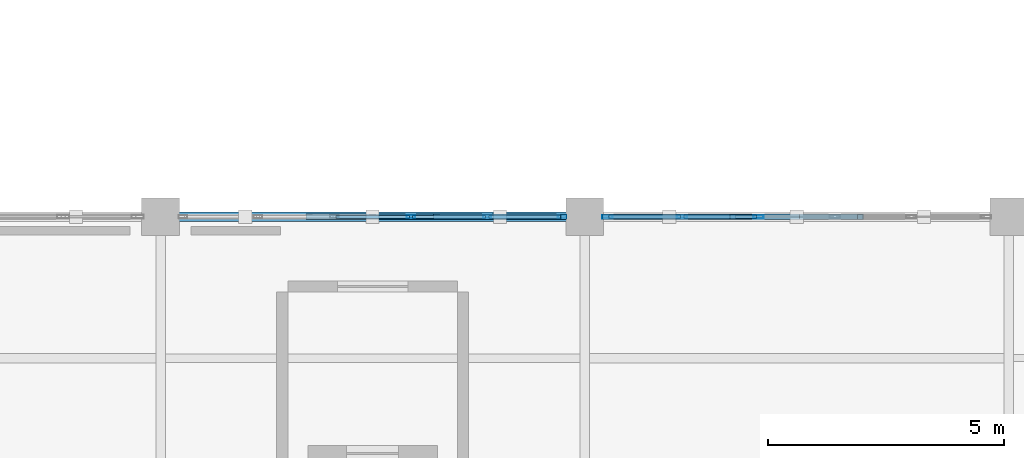
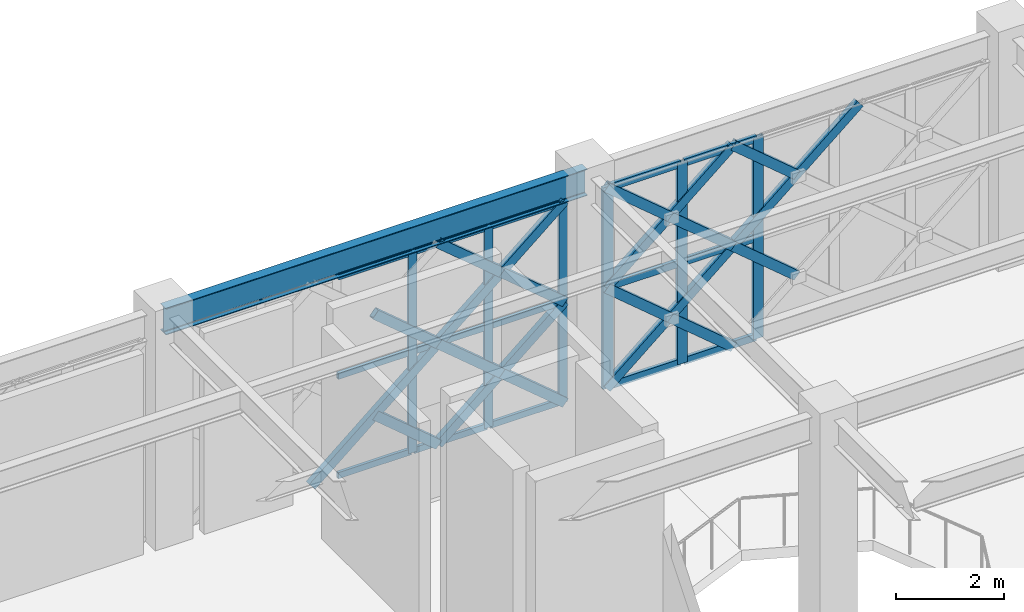
# One storey, part 18 of 86: 39 members, 1 beam, 2 elements without a shape of their own.
"""IFC4 building model written with IfcOpenShell, lengths in metres."""

import ifcopenshell
import ifcopenshell.guid

model = None  # the IFC model being written
_history = None  # IfcOwnerHistory: only IFC2X3 demands one
_inside = {}  # id of a spatial element -> (the spatial element, [elements in it])
_under = {}  # id of a project, library or spatial element -> (it, [spatial elements below it])
_declared = {}  # id of a project -> (the project, [libraries it declares])
_typed = {}  # id of a type object -> (the type object, [elements of that type])
_made_of = {}  # id of a material, layer set ... -> (it, [elements and type objects made of it])


def new_model(schema):
    """Start an empty IFC model of exactly this schema.

    Asked for "IFC4X3", IfcOpenShell would pick the latest addendum, in which some entities
    have other attributes; the version numbers below select the first issue.
    IFC2X3 requires an IfcOwnerHistory on every rooted entity: one is made here for all.
    """
    global model, _history
    if schema == "IFC4X3":
        model = ifcopenshell.file(schema_version=(4, 3, 0, 0))
    else:
        model = ifcopenshell.file(schema=schema)
    _inside.clear()
    _under.clear()
    _declared.clear()
    _typed.clear()
    _made_of.clear()
    _history = None
    if model.schema == "IFC2X3":
        org = make("IfcOrganization", Name="unknown")
        user = make(
            "IfcPersonAndOrganization",
            ThePerson=make("IfcPerson", FamilyName="unknown"),
            TheOrganization=org,
        )
        app = make(
            "IfcApplication",
            ApplicationDeveloper=org,
            Version="unknown",
            ApplicationFullName="unknown",
            ApplicationIdentifier="unknown",
        )
        _history = make(
            "IfcOwnerHistory",
            OwningUser=user,
            OwningApplication=app,
            ChangeAction="ADDED",
            CreationDate=0,
        )
    return model


def make(cls, **values):
    """One entity of the class cls with the attributes given. An attribute that is None is left unset."""
    return model.create_entity(
        cls, **{name: value for name, value in values.items() if value is not None}
    )


def rooted(cls, **values):
    """An entity with a GlobalId (a new one), such as an element, a storey or a relation."""
    return make(cls, GlobalId=ifcopenshell.guid.new(), OwnerHistory=_history, **values)


def si_unit(unit_type, name, prefix=None):
    """IfcSIUnit, for example si_unit("LENGTHUNIT", "METRE", prefix="MILLI")."""
    return make("IfcSIUnit", UnitType=unit_type, Prefix=prefix, Name=name)


def assignment(units):
    """IfcUnitAssignment: the units of a project."""
    return None if units is None else make("IfcUnitAssignment", Units=units)


def point(xyz):
    """IfcCartesianPoint."""
    return None if xyz is None else make("IfcCartesianPoint", Coordinates=xyz)


def direction(xyz):
    """IfcDirection."""
    return None if xyz is None else make("IfcDirection", DirectionRatios=xyz)


def frame(location, z_axis=None, x_axis=None):
    """IfcAxis2Placement3D, a coordinate frame: its origin and axes. An axis left out is left unset."""
    return make(
        "IfcAxis2Placement3D",
        Location=point(location),
        Axis=direction(z_axis),
        RefDirection=direction(x_axis),
    )


def frame_2d(location, x_axis=None):
    """IfcAxis2Placement2D, a coordinate frame in the plane: its origin and x axis."""
    return make(
        "IfcAxis2Placement2D", Location=point(location), RefDirection=direction(x_axis)
    )


def origin():
    """The frame at (0, 0, 0) with its axes left unset."""
    return frame((0.0, 0.0, 0.0))


def origin_2d():
    """The frame at (0, 0) in the plane with its x axis left unset."""
    return frame_2d((0.0, 0.0))


def place(relative_to, where):
    """IfcLocalPlacement: puts the frame where relative to a parent placement (None: the world)."""
    return make(
        "IfcLocalPlacement", PlacementRelTo=relative_to, RelativePlacement=where
    )


def context(
    kind, dimensions, precision=None, world=None, true_north=None, identifier=None
):
    """IfcGeometricRepresentationContext, for example the 3D "Model" context."""
    return make(
        "IfcGeometricRepresentationContext",
        ContextIdentifier=identifier,
        ContextType=kind,
        CoordinateSpaceDimension=dimensions,
        Precision=precision,
        WorldCoordinateSystem=world,
        TrueNorth=true_north,
    )


def subcontext(parent, identifier, kind, view, scale=None):
    """IfcGeometricRepresentationSubContext, for example "Body" below "Model"."""
    return make(
        "IfcGeometricRepresentationSubContext",
        ContextIdentifier=identifier,
        ContextType=kind,
        ParentContext=parent,
        TargetScale=scale,
        TargetView=view,
    )


def project(units=None, contexts=None):
    """IfcProject with its units and contexts."""
    return rooted(
        "IfcProject",
        Name="project",
        RepresentationContexts=contexts,
        UnitsInContext=assignment(units),
    )


def spatial(cls, under=None, at=None, **own):
    """A site, building, storey or space (cls), placed at a placement, below another one or the project."""
    s = rooted(cls, ObjectPlacement=at, **own)
    if under is not None:
        _under.setdefault(under.id(), (under, []))[1].append(s)
    return s


def profile(cls, at=None, kind="AREA", **sizes):
    """A parametric profile (cls). Its sizes go by their IFC names, for example OverallWidth=200.0."""
    return make(cls, ProfileType=kind, Position=at, **sizes)


def hollow_rectangle(**sizes):
    """IfcRectangleHollowProfileDef."""
    return profile("IfcRectangleHollowProfileDef", **sizes)


def i_section(**sizes):
    """IfcIShapeProfileDef."""
    return profile("IfcIShapeProfileDef", **sizes)


def extrude(swept, where, along, depth):
    """IfcExtrudedAreaSolid: the profile swept, set in the frame where, extruded along a direction by depth."""
    return make(
        "IfcExtrudedAreaSolid",
        SweptArea=swept,
        Position=where,
        ExtrudedDirection=direction(along),
        Depth=depth,
    )


def shape(context_of_items, identifier, shape_type, items):
    """IfcShapeRepresentation: the items that make up one representation, for example the "Body"."""
    return make(
        "IfcShapeRepresentation",
        ContextOfItems=context_of_items,
        RepresentationIdentifier=identifier,
        RepresentationType=shape_type,
        Items=items,
    )


def material(Name=None, Category=None):
    """IfcMaterial."""
    return make("IfcMaterial", Name=Name, Category=Category)


def material_profile(
    of_material, cross_section, Name=None, Category=None, Priority=None
):
    """IfcMaterialProfile: a cross section and its material."""
    return make(
        "IfcMaterialProfile",
        Name=Name,
        Material=of_material,
        Profile=cross_section,
        Priority=Priority,
        Category=Category,
    )


def profile_set(profiles, Name=None, composite=None):
    """IfcMaterialProfileSet."""
    return make(
        "IfcMaterialProfileSet",
        Name=Name,
        MaterialProfiles=profiles,
        CompositeProfile=composite,
    )


def made_of(thing, what):
    """Note that an element or type object is made of a material, layer set ...; save() writes the relation."""
    if what is not None:
        _made_of.setdefault(what.id(), (what, []))[1].append(thing)
    return thing


def type_object(cls, material=None, **own):
    """A type object (cls), such as IfcWallType, which elements share."""
    return made_of(rooted(cls, **own), material)


def element(
    cls,
    number,
    at=None,
    inside=None,
    cuts=None,
    type_object=None,
    material=None,
    context=None,
    identifier="Body",
    shape_type=None,
    held_by="IfcProductDefinitionShape",
    body=None,
    shapes=None,
    **own,
):
    """One element of the class cls, such as IfcWall. Its Tag is "e" and its number.

    at: its placement. inside: the storey or other place that contains it. cuts: it is an
    opening in that element (IfcRelVoidsElement). A single representation is given by context,
    identifier, shape_type and body (its items); several are given by shapes. held_by: the class
    of the entity that holds the representations. save() writes the other relations.
    """
    e = rooted(cls, Tag="e%d" % number, ObjectPlacement=at, **own)
    if body is not None:
        shapes = [shape(context, identifier, shape_type, body)]
    if shapes is not None:
        e.Representation = make(held_by, Representations=shapes)
    if inside is not None:
        _inside.setdefault(inside.id(), (inside, []))[1].append(e)
    if cuts is not None:
        rooted(
            "IfcRelVoidsElement", RelatingBuildingElement=cuts, RelatedOpeningElement=e
        )
    if type_object is not None:
        _typed.setdefault(type_object.id(), (type_object, []))[1].append(e)
    return made_of(e, material)


def aggregate(whole, parts):
    """IfcRelAggregates: a whole, such as a stair, and the parts it consists of."""
    return rooted("IfcRelAggregates", RelatingObject=whole, RelatedObjects=parts)


def save(model, path):
    """Write the relations noted so far, then the file.

    IfcRelAggregates (storeys below a building ...), IfcRelContainedInSpatialStructure (elements
    in a storey), IfcRelDefinesByType, IfcRelAssociatesMaterial and IfcRelDeclares: one each for
    every whole, place, type object, material and project.
    """
    for whole, parts in _under.values():
        aggregate(whole, parts)
    for where, things in _inside.values():
        rooted(
            "IfcRelContainedInSpatialStructure",
            RelatedElements=things,
            RelatingStructure=where,
        )
    for kind, things in _typed.values():
        rooted("IfcRelDefinesByType", RelatedObjects=things, RelatingType=kind)
    for what, things in _made_of.values():
        rooted("IfcRelAssociatesMaterial", RelatedObjects=things, RelatingMaterial=what)
    for by, libraries in _declared.values():
        rooted("IfcRelDeclares", RelatingContext=by, RelatedDefinitions=libraries)
    model.write(path)


model = new_model("IFC4")

# Units and contexts
model_context = context("Model", 3, precision=1e-05, world=origin(), true_north=direction((0.0, 1.0)))
body_context = subcontext(model_context, "Body", "Model", "MODEL_VIEW")
ifc_project = project(units=[si_unit("LENGTHUNIT", "METRE"), si_unit("AREAUNIT", "SQUARE_METRE"), si_unit("VOLUMEUNIT", "CUBIC_METRE"), si_unit("PLANEANGLEUNIT", "RADIAN"), si_unit("MASSUNIT", "GRAM", prefix="KILO")], contexts=[model_context])

# Site, building, storey
site_placement = place(None, origin())
site = spatial("IfcSite", under=ifc_project, at=site_placement, CompositionType="ELEMENT")
building_placement = place(site_placement, origin())
building = spatial("IfcBuilding", under=site, at=building_placement, Name="Haizhuo Lancet Aquarium", CompositionType="ELEMENT")
storey_placement = place(building_placement, frame((0.0, 0.0, 16.199951171875)))
storey = spatial("IfcBuildingStorey", under=building, at=storey_placement, Name="L03", CompositionType="ELEMENT", Elevation=16.199951171875)

# Beam
ifc_material_1 = material(Name="Steel S355", Category="steel")
ifc_material_profile_1 = material_profile(ifc_material_1, i_section(OverallWidth=0.199951171875, OverallDepth=0.60009765625, WebThickness=0.010986328125, FlangeThickness=0.01708984375, FilletRadius=0.02197265625, at=origin_2d()), Name="HN 600x200x11x17")
ifc_profile_set_1 = profile_set([ifc_material_profile_1], Name="Steel S355")
beam_type = type_object("IfcBeamType", Name="BM-ST-HN600", PredefinedType="BEAM", material=ifc_profile_set_1)
beam_placement = place(storey_placement, frame((-63.0, -9.0, 4.85009765625), z_axis=(1.0, 0.0, 0.0), x_axis=(0.0, 1.0, 0.0)))
element("IfcBeam", 1, at=beam_placement, inside=storey, type_object=beam_type, Name="L03 V6 primary girder BM-L03-V6-013", PredefinedType="BEAM", context=body_context, shape_type="SweptSolid", body=[
    extrude(i_section(OverallWidth=0.199951171875, OverallDepth=0.60009765625, WebThickness=0.010986328125, FlangeThickness=0.01708984375, FilletRadius=0.02197265625, at=origin_2d()), origin(), (0.0, 0.0, 1.0), 9.0),
])

# Curtain wall, members
ifc_material_2 = material(Name="Aluminium 6063-T6", Category="aluminium")
curtain_wall_type = type_object("IfcCurtainWallType", Name="CWO-8110x4550", PredefinedType="NOTDEFINED", material=ifc_material_2)
curtain_wall_1_placement = place(storey_placement, origin())
curtain_wall_1 = element("IfcCurtainWall", 2, at=curtain_wall_1_placement, inside=storey, type_object=curtain_wall_type, Name="L03 curtain wall CW-V6-L03-232", PredefinedType="NOTDEFINED")
ifc_material_profile_2 = material_profile(ifc_material_2, hollow_rectangle(XDim=0.06494140625, YDim=0.179931640625, WallThickness=0.00390625, at=origin_2d()), Name="ALU-M 65x180x4")
ifc_profile_set_2 = profile_set([ifc_material_profile_2], Name="Aluminium 6063-T6")
member_type_1 = type_object("IfcMemberType", Name="CW-MUL-1", PredefinedType="MULLION", material=ifc_profile_set_2)
member_1_placement = place(storey_placement, frame((-57.68896484375, -9.0, 0.0), z_axis=(0.0, 0.0, 1.0), x_axis=(0.0, 1.0, 0.0)))
member_1 = element("IfcMember", 3, at=member_1_placement, type_object=member_type_1, Name="CWO-81x45 mullion 4", PredefinedType="MULLION", context=body_context, shape_type="SweptSolid", body=[
    extrude(hollow_rectangle(XDim=0.06494140625, YDim=0.179931640625, WallThickness=0.00390625, at=origin_2d()), origin(), (0.0, 0.0, 1.0), 4.550048828125),
])
member_2_placement = place(storey_placement, frame((-56.06689453125, -9.0, 0.0), z_axis=(0.0, 0.0, 1.0), x_axis=(0.0, 1.0, 0.0)))
member_2 = element("IfcMember", 4, at=member_2_placement, type_object=member_type_1, Name="CWO-81x45 mullion 5", PredefinedType="MULLION", context=body_context, shape_type="SweptSolid", body=[
    extrude(hollow_rectangle(XDim=0.06494140625, YDim=0.179931640625, WallThickness=0.00390625, at=origin_2d()), origin(), (0.0, 0.0, 1.0), 4.550048828125),
])
member_3_placement = place(storey_placement, frame((-54.47705078125, -9.0, 0.0), z_axis=(0.0, 0.0, 1.0), x_axis=(0.0, 1.0, 0.0)))
member_3 = element("IfcMember", 5, at=member_3_placement, type_object=member_type_1, Name="CWO-81x45 mullion 6", PredefinedType="MULLION", context=body_context, shape_type="SweptSolid", body=[
    extrude(hollow_rectangle(XDim=0.06494140625, YDim=0.179931640625, WallThickness=0.00390625, at=origin_2d()), origin(), (0.0, 0.0, 1.0), 4.550048828125),
])

curtain_wall_2_placement = place(storey_placement, origin())
curtain_wall_2 = element("IfcCurtainWall", 6, at=curtain_wall_2_placement, inside=storey, type_object=curtain_wall_type, Name="L03 curtain wall CW-V6-L03-233", PredefinedType="NOTDEFINED")
ifc_material_profile_3 = material_profile(ifc_material_2, hollow_rectangle(XDim=0.074951171875, YDim=0.219970703125, WallThickness=0.0048828125, at=origin_2d()), Name="ALU-M 75x220x5")
ifc_profile_set_3 = profile_set([ifc_material_profile_3], Name="Aluminium 6063-T6")
member_type_2 = type_object("IfcMemberType", Name="CW-MUL-2", PredefinedType="MULLION", material=ifc_profile_set_3)
member_4_placement = place(storey_placement, frame((-53.51708984375, -9.0, 0.0), z_axis=(0.0, 0.0, 1.0), x_axis=(0.0, 1.0, 0.0)))
member_4 = element("IfcMember", 7, at=member_4_placement, type_object=member_type_2, Name="CWO-81x45 mullion 1", PredefinedType="MULLION", context=body_context, shape_type="SweptSolid", body=[
    extrude(hollow_rectangle(XDim=0.074951171875, YDim=0.219970703125, WallThickness=0.0048828125, at=origin_2d()), origin(), (0.0, 0.0, 1.0), 4.550048828125),
])
member_5_placement = place(storey_placement, frame((-51.93310546875, -9.0, 0.0), z_axis=(0.0, 0.0, 1.0), x_axis=(0.0, 1.0, 0.0)))
member_5 = element("IfcMember", 8, at=member_5_placement, type_object=member_type_2, Name="CWO-81x45 mullion 2", PredefinedType="MULLION", context=body_context, shape_type="SweptSolid", body=[
    extrude(hollow_rectangle(XDim=0.074951171875, YDim=0.219970703125, WallThickness=0.0048828125, at=origin_2d()), origin(), (0.0, 0.0, 1.0), 4.550048828125),
])
member_6_placement = place(storey_placement, frame((-50.31103515625, -9.0, 0.0), z_axis=(0.0, 0.0, 1.0), x_axis=(0.0, 1.0, 0.0)))
member_6 = element("IfcMember", 9, at=member_6_placement, type_object=member_type_2, Name="CWO-81x45 mullion 3", PredefinedType="MULLION", context=body_context, shape_type="SweptSolid", body=[
    extrude(hollow_rectangle(XDim=0.074951171875, YDim=0.219970703125, WallThickness=0.0048828125, at=origin_2d()), origin(), (0.0, 0.0, 1.0), 4.550048828125),
])

# Member
ifc_material_profile_4 = material_profile(ifc_material_2, hollow_rectangle(XDim=0.06494140625, YDim=0.139892578125, WallThickness=0.00390625, at=origin_2d()), Name="ALU-T 65x140x4")
ifc_profile_set_4 = profile_set([ifc_material_profile_4], Name="Aluminium 6063-T6")
member_type_3 = type_object("IfcMemberType", Name="CW-TRN-1", PredefinedType="NOTDEFINED", material=ifc_profile_set_4)
member_7_placement = place(storey_placement, frame((-59.279052734375, -9.0, 0.031982421875), z_axis=(1.0, 0.0, 0.0), x_axis=(0.0, 1.0, 0.0)))
member_7 = element("IfcMember", 10, at=member_7_placement, type_object=member_type_3, Name="CWO-81x45 transom 3.1", ObjectType="TRANSOM", PredefinedType="USERDEFINED", context=body_context, shape_type="SweptSolid", body=[
    extrude(hollow_rectangle(XDim=0.06494140625, YDim=0.139892578125, WallThickness=0.00390625, at=origin_2d()), origin(), (0.0, 0.0, 1.0), 1.55810546875),
])

member_8_placement = place(storey_placement, frame((-59.279052734375, -9.0, 2.275146484375), z_axis=(1.0, 0.0, 0.0), x_axis=(0.0, 1.0, 0.0)))
member_8 = element("IfcMember", 11, at=member_8_placement, type_object=member_type_3, Name="CWO-81x45 transom 3.2", ObjectType="TRANSOM", PredefinedType="USERDEFINED", context=body_context, shape_type="SweptSolid", body=[
    extrude(hollow_rectangle(XDim=0.06494140625, YDim=0.139892578125, WallThickness=0.00390625, at=origin_2d()), origin(), (0.0, 0.0, 1.0), 1.55810546875),
])

member_9_placement = place(storey_placement, frame((-59.279052734375, -9.0, 4.51806640625), z_axis=(1.0, 0.0, 0.0), x_axis=(0.0, 1.0, 0.0)))
member_9 = element("IfcMember", 12, at=member_9_placement, type_object=member_type_3, Name="CWO-81x45 transom 3.3", ObjectType="TRANSOM", PredefinedType="USERDEFINED", context=body_context, shape_type="SweptSolid", body=[
    extrude(hollow_rectangle(XDim=0.06494140625, YDim=0.139892578125, WallThickness=0.00390625, at=origin_2d()), origin(), (0.0, 0.0, 1.0), 1.55810546875),
])

member_10_placement = place(storey_placement, frame((-57.656982421875, -9.0, 0.031982421875), z_axis=(1.0, 0.0, 0.0), x_axis=(0.0, 1.0, 0.0)))
member_10 = element("IfcMember", 13, at=member_10_placement, type_object=member_type_3, Name="CWO-81x45 transom 4.1", ObjectType="TRANSOM", PredefinedType="USERDEFINED", context=body_context, shape_type="SweptSolid", body=[
    extrude(hollow_rectangle(XDim=0.06494140625, YDim=0.139892578125, WallThickness=0.00390625, at=origin_2d()), origin(), (0.0, 0.0, 1.0), 1.557861328125),
])

member_11_placement = place(storey_placement, frame((-57.656982421875, -9.0, 2.275146484375), z_axis=(1.0, 0.0, 0.0), x_axis=(0.0, 1.0, 0.0)))
member_11 = element("IfcMember", 14, at=member_11_placement, type_object=member_type_3, Name="CWO-81x45 transom 4.2", ObjectType="TRANSOM", PredefinedType="USERDEFINED", context=body_context, shape_type="SweptSolid", body=[
    extrude(hollow_rectangle(XDim=0.06494140625, YDim=0.139892578125, WallThickness=0.00390625, at=origin_2d()), origin(), (0.0, 0.0, 1.0), 1.557861328125),
])

member_12_placement = place(storey_placement, frame((-57.656982421875, -9.0, 4.51806640625), z_axis=(1.0, 0.0, 0.0), x_axis=(0.0, 1.0, 0.0)))
member_12 = element("IfcMember", 15, at=member_12_placement, type_object=member_type_3, Name="CWO-81x45 transom 4.3", ObjectType="TRANSOM", PredefinedType="USERDEFINED", context=body_context, shape_type="SweptSolid", body=[
    extrude(hollow_rectangle(XDim=0.06494140625, YDim=0.139892578125, WallThickness=0.00390625, at=origin_2d()), origin(), (0.0, 0.0, 1.0), 1.557861328125),
])

member_13_placement = place(storey_placement, frame((-56.034912109375, -9.0, 0.031982421875), z_axis=(1.0, 0.0, 0.0), x_axis=(0.0, 1.0, 0.0)))
member_13 = element("IfcMember", 16, at=member_13_placement, type_object=member_type_3, Name="CWO-81x45 transom 5.1", ObjectType="TRANSOM", PredefinedType="USERDEFINED", context=body_context, shape_type="SweptSolid", body=[
    extrude(hollow_rectangle(XDim=0.06494140625, YDim=0.139892578125, WallThickness=0.00390625, at=origin_2d()), origin(), (0.0, 0.0, 1.0), 1.52490234375),
])

member_14_placement = place(storey_placement, frame((-56.034912109375, -9.0, 2.275146484375), z_axis=(1.0, 0.0, 0.0), x_axis=(0.0, 1.0, 0.0)))
member_14 = element("IfcMember", 17, at=member_14_placement, type_object=member_type_3, Name="CWO-81x45 transom 5.2", ObjectType="TRANSOM", PredefinedType="USERDEFINED", context=body_context, shape_type="SweptSolid", body=[
    extrude(hollow_rectangle(XDim=0.06494140625, YDim=0.139892578125, WallThickness=0.00390625, at=origin_2d()), origin(), (0.0, 0.0, 1.0), 1.52490234375),
])

member_15_placement = place(storey_placement, frame((-56.034912109375, -9.0, 4.51806640625), z_axis=(1.0, 0.0, 0.0), x_axis=(0.0, 1.0, 0.0)))
member_15 = element("IfcMember", 18, at=member_15_placement, type_object=member_type_3, Name="CWO-81x45 transom 5.3", ObjectType="TRANSOM", PredefinedType="USERDEFINED", context=body_context, shape_type="SweptSolid", body=[
    extrude(hollow_rectangle(XDim=0.06494140625, YDim=0.139892578125, WallThickness=0.00390625, at=origin_2d()), origin(), (0.0, 0.0, 1.0), 1.52490234375),
])

aggregate(curtain_wall_1, [member_1, member_2, member_3, member_7, member_8, member_9, member_10, member_11, member_12, member_13, member_14, member_15])

ifc_material_profile_5 = material_profile(ifc_material_2, hollow_rectangle(XDim=0.074951171875, YDim=0.159912109375, WallThickness=0.00390625, at=origin_2d()), Name="ALU-T 75x160x4")
ifc_profile_set_5 = profile_set([ifc_material_profile_5], Name="Aluminium 6063-T6")
member_type_4 = type_object("IfcMemberType", Name="CW-TRN-2", PredefinedType="NOTDEFINED", material=ifc_profile_set_5)
member_16_placement = place(storey_placement, frame((-53.47998046875, -9.0, 0.0380859375), z_axis=(1.0, 0.0, 0.0), x_axis=(0.0, 1.0, 0.0)))
member_16 = element("IfcMember", 19, at=member_16_placement, type_object=member_type_4, Name="CWO-81x45 transom 1.1", ObjectType="TRANSOM", PredefinedType="USERDEFINED", context=body_context, shape_type="SweptSolid", body=[
    extrude(hollow_rectangle(XDim=0.074951171875, YDim=0.159912109375, WallThickness=0.00390625, at=origin_2d()), origin(), (0.0, 0.0, 1.0), 1.509033203125),
])

member_17_placement = place(storey_placement, frame((-53.47998046875, -9.0, 2.275146484375), z_axis=(1.0, 0.0, 0.0), x_axis=(0.0, 1.0, 0.0)))
member_17 = element("IfcMember", 20, at=member_17_placement, type_object=member_type_4, Name="CWO-81x45 transom 1.2", ObjectType="TRANSOM", PredefinedType="USERDEFINED", context=body_context, shape_type="SweptSolid", body=[
    extrude(hollow_rectangle(XDim=0.074951171875, YDim=0.159912109375, WallThickness=0.00390625, at=origin_2d()), origin(), (0.0, 0.0, 1.0), 1.509033203125),
])

member_18_placement = place(storey_placement, frame((-53.47998046875, -9.0, 4.511962890625), z_axis=(1.0, 0.0, 0.0), x_axis=(0.0, 1.0, 0.0)))
member_18 = element("IfcMember", 21, at=member_18_placement, type_object=member_type_4, Name="CWO-81x45 transom 1.3", ObjectType="TRANSOM", PredefinedType="USERDEFINED", context=body_context, shape_type="SweptSolid", body=[
    extrude(hollow_rectangle(XDim=0.074951171875, YDim=0.159912109375, WallThickness=0.00390625, at=origin_2d()), origin(), (0.0, 0.0, 1.0), 1.509033203125),
])

member_19_placement = place(storey_placement, frame((-51.89501953125, -9.0, 0.0380859375), z_axis=(1.0, 0.0, 0.0), x_axis=(0.0, 1.0, 0.0)))
member_19 = element("IfcMember", 22, at=member_19_placement, type_object=member_type_4, Name="CWO-81x45 transom 2.1", ObjectType="TRANSOM", PredefinedType="USERDEFINED", context=body_context, shape_type="SweptSolid", body=[
    extrude(hollow_rectangle(XDim=0.074951171875, YDim=0.159912109375, WallThickness=0.00390625, at=origin_2d()), origin(), (0.0, 0.0, 1.0), 1.5458984375),
])

member_20_placement = place(storey_placement, frame((-51.89501953125, -9.0, 2.275146484375), z_axis=(1.0, 0.0, 0.0), x_axis=(0.0, 1.0, 0.0)))
member_20 = element("IfcMember", 23, at=member_20_placement, type_object=member_type_4, Name="CWO-81x45 transom 2.2", ObjectType="TRANSOM", PredefinedType="USERDEFINED", context=body_context, shape_type="SweptSolid", body=[
    extrude(hollow_rectangle(XDim=0.074951171875, YDim=0.159912109375, WallThickness=0.00390625, at=origin_2d()), origin(), (0.0, 0.0, 1.0), 1.5458984375),
])

member_21_placement = place(storey_placement, frame((-51.89501953125, -9.0, 4.511962890625), z_axis=(1.0, 0.0, 0.0), x_axis=(0.0, 1.0, 0.0)))
member_21 = element("IfcMember", 24, at=member_21_placement, type_object=member_type_4, Name="CWO-81x45 transom 2.3", ObjectType="TRANSOM", PredefinedType="USERDEFINED", context=body_context, shape_type="SweptSolid", body=[
    extrude(hollow_rectangle(XDim=0.074951171875, YDim=0.159912109375, WallThickness=0.00390625, at=origin_2d()), origin(), (0.0, 0.0, 1.0), 1.5458984375),
])

aggregate(curtain_wall_2, [member_4, member_5, member_6, member_16, member_17, member_18, member_19, member_20, member_21])

# Members
ifc_material_profile_6 = material_profile(ifc_material_1, hollow_rectangle(XDim=0.1201171875, YDim=0.199951171875, WallThickness=0.008056640625, at=origin_2d()), Name="RHS 120x200x8")
ifc_profile_set_6 = profile_set([ifc_material_profile_6], Name="Steel S355")
member_type_5 = type_object("IfcMemberType", Name="MEM-LB-RHS120x200", PredefinedType="BRACE", material=ifc_profile_set_6)
member_22_placement = place(storey_placement, frame((-59.85205078125, -9.0, 0.0), z_axis=(0.765188811887, 0.0, 0.643805935173), x_axis=(0.0, 1.0, 0.0)))
element("IfcMember", 25, at=member_22_placement, inside=storey, type_object=member_type_5, Name="Gothic lancet continuous diagonal brace CW-V6-L03-232 3A", PredefinedType="BRACE", context=body_context, shape_type="SweptSolid", body=[
    extrude(hollow_rectangle(XDim=0.1201171875, YDim=0.199951171875, WallThickness=0.008056640625, at=origin_2d()), origin(), (0.0, 0.0, 1.0), 3.533935546875),
])
member_23_placement = place(storey_placement, frame((-57.14794921875, -9.0, 0.0), z_axis=(-0.765358991525, 0.0, 0.643603615661), x_axis=(0.0, -1.0, 0.0)))
element("IfcMember", 26, at=member_23_placement, inside=storey, type_object=member_type_5, Name="Gothic lancet split diagonal brace CW-V6-L03-232 3B1", PredefinedType="BRACE", context=body_context, shape_type="SweptSolid", body=[
    extrude(hollow_rectangle(XDim=0.1201171875, YDim=0.199951171875, WallThickness=0.008056640625, at=origin_2d()), origin(), (0.0, 0.0, 1.0), 1.7666015625),
])
member_24_placement = place(storey_placement, frame((-57.14794921875, -9.0, 2.275146484375), z_axis=(-0.76508671477, 0.0, 0.643927262106), x_axis=(0.0, -1.0, 0.0)))
element("IfcMember", 27, at=member_24_placement, inside=storey, type_object=member_type_5, Name="Gothic lancet split diagonal brace CW-V6-L03-232 4B1", PredefinedType="BRACE", context=body_context, shape_type="SweptSolid", body=[
    extrude(hollow_rectangle(XDim=0.1201171875, YDim=0.199951171875, WallThickness=0.008056640625, at=origin_2d()), origin(), (0.0, 0.0, 1.0), 1.76708984375),
])
member_25_placement = place(storey_placement, frame((-57.14794921875, -9.0, 0.0), z_axis=(0.765045580623, 0.0, 0.643976132764), x_axis=(0.0, 1.0, 0.0)))
element("IfcMember", 28, at=member_25_placement, inside=storey, type_object=member_type_5, Name="Gothic lancet continuous diagonal brace CW-V6-L03-232 5A", PredefinedType="BRACE", context=body_context, shape_type="SweptSolid", body=[
    extrude(hollow_rectangle(XDim=0.1201171875, YDim=0.199951171875, WallThickness=0.008056640625, at=origin_2d()), origin(), (0.0, 0.0, 1.0), 3.532958984375),
])
member_26_placement = place(storey_placement, frame((-54.445068359375, -9.0, 0.0), z_axis=(-0.765358991525, 0.0, 0.643603615661), x_axis=(0.0, -1.0, 0.0)))
element("IfcMember", 29, at=member_26_placement, inside=storey, type_object=member_type_5, Name="Gothic lancet split diagonal brace CW-V6-L03-232 5B1", PredefinedType="BRACE", context=body_context, shape_type="SweptSolid", body=[
    extrude(hollow_rectangle(XDim=0.1201171875, YDim=0.199951171875, WallThickness=0.008056640625, at=origin_2d()), origin(), (0.0, 0.0, 1.0), 1.7666015625),
])
member_27_placement = place(storey_placement, frame((-55.797119140625, -9.0, 1.136962890625), z_axis=(-0.764731962164, 0.0, 0.644348528395), x_axis=(0.0, -1.0, 0.0)))
element("IfcMember", 30, at=member_27_placement, inside=storey, type_object=member_type_5, Name="Gothic lancet split diagonal brace CW-V6-L03-232 5B2", PredefinedType="BRACE", context=body_context, shape_type="SweptSolid", body=[
    extrude(hollow_rectangle(XDim=0.1201171875, YDim=0.199951171875, WallThickness=0.008056640625, at=origin_2d()), origin(), (0.0, 0.0, 1.0), 1.766357421875),
])
member_28_placement = place(storey_placement, frame((-57.14794921875, -9.0, 2.275146484375), z_axis=(0.765079626398, 0.0, 0.64393568411), x_axis=(0.0, 1.0, 0.0)))
element("IfcMember", 31, at=member_28_placement, inside=storey, type_object=member_type_5, Name="Gothic lancet continuous diagonal brace CW-V6-L03-232 6A", PredefinedType="BRACE", context=body_context, shape_type="SweptSolid", body=[
    extrude(hollow_rectangle(XDim=0.1201171875, YDim=0.199951171875, WallThickness=0.008056640625, at=origin_2d()), origin(), (0.0, 0.0, 1.0), 3.53271484375),
])
member_29_placement = place(storey_placement, frame((-54.445068359375, -9.0, 2.275146484375), z_axis=(-0.76508671477, 0.0, 0.643927262106), x_axis=(0.0, -1.0, 0.0)))
element("IfcMember", 32, at=member_29_placement, inside=storey, type_object=member_type_5, Name="Gothic lancet split diagonal brace CW-V6-L03-232 6B1", PredefinedType="BRACE", context=body_context, shape_type="SweptSolid", body=[
    extrude(hollow_rectangle(XDim=0.1201171875, YDim=0.199951171875, WallThickness=0.008056640625, at=origin_2d()), origin(), (0.0, 0.0, 1.0), 1.76708984375),
])
member_30_placement = place(storey_placement, frame((-55.797119140625, -9.0, 3.4130859375), z_axis=(-0.76507253166, 0.0, 0.64394411349), x_axis=(0.0, -1.0, 0.0)))
element("IfcMember", 33, at=member_30_placement, inside=storey, type_object=member_type_5, Name="Gothic lancet split diagonal brace CW-V6-L03-232 6B2", PredefinedType="BRACE", context=body_context, shape_type="SweptSolid", body=[
    extrude(hollow_rectangle(XDim=0.1201171875, YDim=0.199951171875, WallThickness=0.008056640625, at=origin_2d()), origin(), (0.0, 0.0, 1.0), 1.765625),
])
member_31_placement = place(storey_placement, frame((-53.554931640625, -9.0, 0.0), z_axis=(0.765045580623, 0.0, 0.643976132764), x_axis=(0.0, 1.0, 0.0)))
element("IfcMember", 34, at=member_31_placement, inside=storey, type_object=member_type_5, Name="Gothic lancet continuous diagonal brace CW-V6-L03-233 1A", PredefinedType="BRACE", context=body_context, shape_type="SweptSolid", body=[
    extrude(hollow_rectangle(XDim=0.1201171875, YDim=0.199951171875, WallThickness=0.008056640625, at=origin_2d()), origin(), (0.0, 0.0, 1.0), 3.532958984375),
])
member_32_placement = place(storey_placement, frame((-50.85205078125, -9.0, 0.0), z_axis=(-0.76507253166, 0.0, 0.64394411349), x_axis=(0.0, -1.0, 0.0)))
element("IfcMember", 35, at=member_32_placement, inside=storey, type_object=member_type_5, Name="Gothic lancet split diagonal brace CW-V6-L03-233 1B1", PredefinedType="BRACE", context=body_context, shape_type="SweptSolid", body=[
    extrude(hollow_rectangle(XDim=0.1201171875, YDim=0.199951171875, WallThickness=0.008056640625, at=origin_2d()), origin(), (0.0, 0.0, 1.0), 1.765625),
])
member_33_placement = place(storey_placement, frame((-52.202880859375, -9.0, 1.136962890625), z_axis=(-0.765018654477, 0.0, 0.644008119749), x_axis=(0.0, -1.0, 0.0)))
element("IfcMember", 36, at=member_33_placement, inside=storey, type_object=member_type_5, Name="Gothic lancet split diagonal brace CW-V6-L03-233 1B2", PredefinedType="BRACE", context=body_context, shape_type="SweptSolid", body=[
    extrude(hollow_rectangle(XDim=0.1201171875, YDim=0.199951171875, WallThickness=0.008056640625, at=origin_2d()), origin(), (0.0, 0.0, 1.0), 1.767333984375),
])
member_34_placement = place(storey_placement, frame((-53.554931640625, -9.0, 2.275146484375), z_axis=(0.765079626398, 0.0, 0.64393568411), x_axis=(0.0, 1.0, 0.0)))
element("IfcMember", 37, at=member_34_placement, inside=storey, type_object=member_type_5, Name="Gothic lancet continuous diagonal brace CW-V6-L03-233 2A", PredefinedType="BRACE", context=body_context, shape_type="SweptSolid", body=[
    extrude(hollow_rectangle(XDim=0.1201171875, YDim=0.199951171875, WallThickness=0.008056640625, at=origin_2d()), origin(), (0.0, 0.0, 1.0), 3.53271484375),
])
member_35_placement = place(storey_placement, frame((-50.85205078125, -9.0, 2.275146484375), z_axis=(-0.764800068903, 0.0, 0.644267688624), x_axis=(0.0, -1.0, 0.0)))
element("IfcMember", 38, at=member_35_placement, inside=storey, type_object=member_type_5, Name="Gothic lancet split diagonal brace CW-V6-L03-233 2B1", PredefinedType="BRACE", context=body_context, shape_type="SweptSolid", body=[
    extrude(hollow_rectangle(XDim=0.1201171875, YDim=0.199951171875, WallThickness=0.008056640625, at=origin_2d()), origin(), (0.0, 0.0, 1.0), 1.766357421875),
])
member_36_placement = place(storey_placement, frame((-52.202880859375, -9.0, 3.4130859375), z_axis=(-0.765358991525, 0.0, 0.643603615661), x_axis=(0.0, -1.0, 0.0)))
element("IfcMember", 39, at=member_36_placement, inside=storey, type_object=member_type_5, Name="Gothic lancet split diagonal brace CW-V6-L03-233 2B2", PredefinedType="BRACE", context=body_context, shape_type="SweptSolid", body=[
    extrude(hollow_rectangle(XDim=0.1201171875, YDim=0.199951171875, WallThickness=0.008056640625, at=origin_2d()), origin(), (0.0, 0.0, 1.0), 1.7666015625),
])
member_37_placement = place(storey_placement, frame((-49.5, -9.0, 1.136962890625), z_axis=(-0.765018654477, 0.0, 0.644008119749), x_axis=(0.0, -1.0, 0.0)))
element("IfcMember", 40, at=member_37_placement, inside=storey, type_object=member_type_5, Name="Gothic lancet split diagonal brace CW-V6-L03-233 3B2", PredefinedType="BRACE", context=body_context, shape_type="SweptSolid", body=[
    extrude(hollow_rectangle(XDim=0.1201171875, YDim=0.199951171875, WallThickness=0.008056640625, at=origin_2d()), origin(), (0.0, 0.0, 1.0), 1.767333984375),
])
member_38_placement = place(storey_placement, frame((-50.85205078125, -9.0, 2.275146484375), z_axis=(0.765222846038, 0.0, 0.643765482068), x_axis=(0.0, 1.0, 0.0)))
element("IfcMember", 41, at=member_38_placement, inside=storey, type_object=member_type_5, Name="Gothic lancet continuous diagonal brace CW-V6-L03-233 4A", PredefinedType="BRACE", context=body_context, shape_type="SweptSolid", body=[
    extrude(hollow_rectangle(XDim=0.1201171875, YDim=0.199951171875, WallThickness=0.008056640625, at=origin_2d()), origin(), (0.0, 0.0, 1.0), 3.53369140625),
])
member_39_placement = place(storey_placement, frame((-49.5, -9.0, 3.4130859375), z_axis=(-0.765358991525, 0.0, 0.643603615661), x_axis=(0.0, -1.0, 0.0)))
element("IfcMember", 42, at=member_39_placement, inside=storey, type_object=member_type_5, Name="Gothic lancet split diagonal brace CW-V6-L03-233 4B2", PredefinedType="BRACE", context=body_context, shape_type="SweptSolid", body=[
    extrude(hollow_rectangle(XDim=0.1201171875, YDim=0.199951171875, WallThickness=0.008056640625, at=origin_2d()), origin(), (0.0, 0.0, 1.0), 1.7666015625),
])

save(model, "model.ifc")
